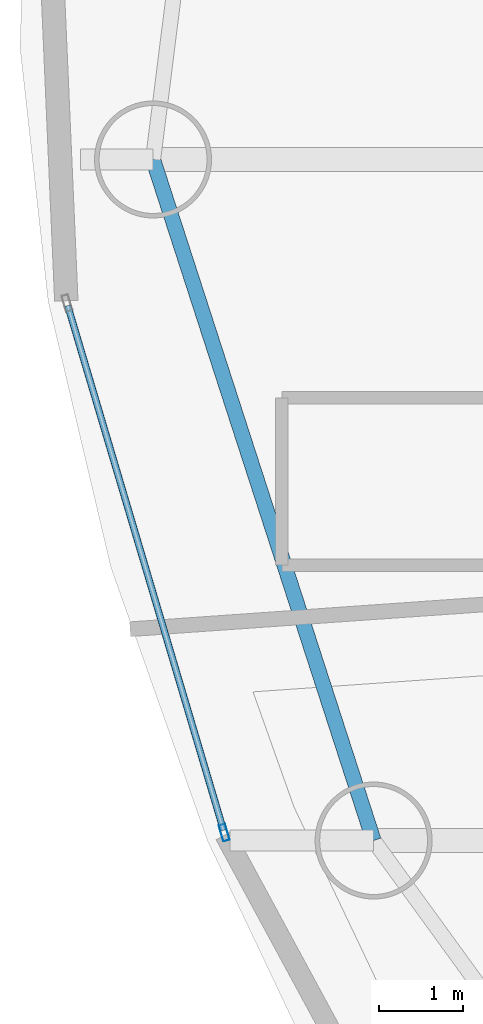
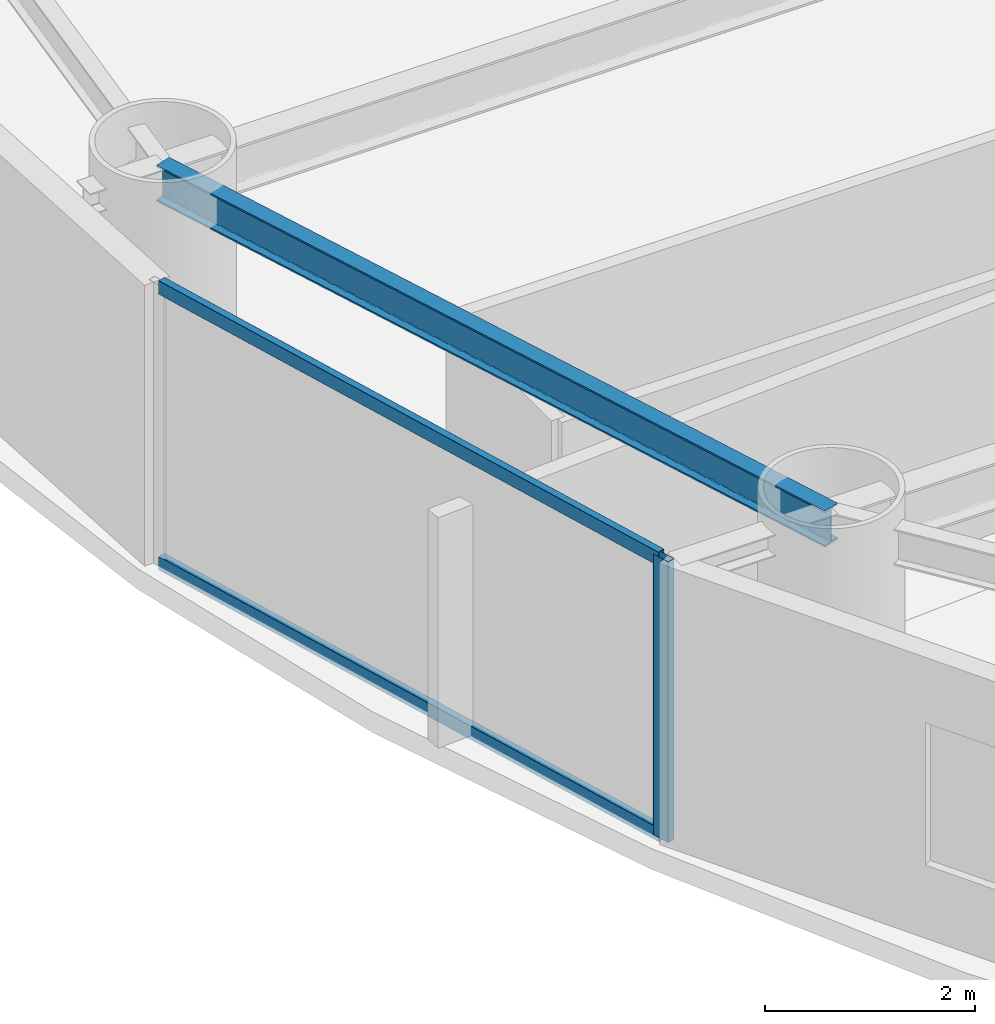
# One storey, part 4 of 22: 3 members, 1 beam, 1 element without a shape of its own.
"""IFC4 building model written with IfcOpenShell, lengths in metres."""

import ifcopenshell
import ifcopenshell.guid

model = None  # the IFC model being written
_history = None  # IfcOwnerHistory: only IFC2X3 demands one
_inside = {}  # id of a spatial element -> (the spatial element, [elements in it])
_under = {}  # id of a project, library or spatial element -> (it, [spatial elements below it])
_declared = {}  # id of a project -> (the project, [libraries it declares])
_typed = {}  # id of a type object -> (the type object, [elements of that type])
_made_of = {}  # id of a material, layer set ... -> (it, [elements and type objects made of it])


def new_model(schema):
    """Start an empty IFC model of exactly this schema.

    Asked for "IFC4X3", IfcOpenShell would pick the latest addendum, in which some entities
    have other attributes; the version numbers below select the first issue.
    IFC2X3 requires an IfcOwnerHistory on every rooted entity: one is made here for all.
    """
    global model, _history
    if schema == "IFC4X3":
        model = ifcopenshell.file(schema_version=(4, 3, 0, 0))
    else:
        model = ifcopenshell.file(schema=schema)
    _inside.clear()
    _under.clear()
    _declared.clear()
    _typed.clear()
    _made_of.clear()
    _history = None
    if model.schema == "IFC2X3":
        org = make("IfcOrganization", Name="unknown")
        user = make(
            "IfcPersonAndOrganization",
            ThePerson=make("IfcPerson", FamilyName="unknown"),
            TheOrganization=org,
        )
        app = make(
            "IfcApplication",
            ApplicationDeveloper=org,
            Version="unknown",
            ApplicationFullName="unknown",
            ApplicationIdentifier="unknown",
        )
        _history = make(
            "IfcOwnerHistory",
            OwningUser=user,
            OwningApplication=app,
            ChangeAction="ADDED",
            CreationDate=0,
        )
    return model


def make(cls, **values):
    """One entity of the class cls with the attributes given. An attribute that is None is left unset."""
    return model.create_entity(
        cls, **{name: value for name, value in values.items() if value is not None}
    )


def rooted(cls, **values):
    """An entity with a GlobalId (a new one), such as an element, a storey or a relation."""
    return make(cls, GlobalId=ifcopenshell.guid.new(), OwnerHistory=_history, **values)


def si_unit(unit_type, name, prefix=None):
    """IfcSIUnit, for example si_unit("LENGTHUNIT", "METRE", prefix="MILLI")."""
    return make("IfcSIUnit", UnitType=unit_type, Prefix=prefix, Name=name)


def assignment(units):
    """IfcUnitAssignment: the units of a project."""
    return None if units is None else make("IfcUnitAssignment", Units=units)


def point(xyz):
    """IfcCartesianPoint."""
    return None if xyz is None else make("IfcCartesianPoint", Coordinates=xyz)


def direction(xyz):
    """IfcDirection."""
    return None if xyz is None else make("IfcDirection", DirectionRatios=xyz)


def frame(location, z_axis=None, x_axis=None):
    """IfcAxis2Placement3D, a coordinate frame: its origin and axes. An axis left out is left unset."""
    return make(
        "IfcAxis2Placement3D",
        Location=point(location),
        Axis=direction(z_axis),
        RefDirection=direction(x_axis),
    )


def frame_2d(location, x_axis=None):
    """IfcAxis2Placement2D, a coordinate frame in the plane: its origin and x axis."""
    return make(
        "IfcAxis2Placement2D", Location=point(location), RefDirection=direction(x_axis)
    )


def origin():
    """The frame at (0, 0, 0) with its axes left unset."""
    return frame((0.0, 0.0, 0.0))


def origin_2d():
    """The frame at (0, 0) in the plane with its x axis left unset."""
    return frame_2d((0.0, 0.0))


def place(relative_to, where):
    """IfcLocalPlacement: puts the frame where relative to a parent placement (None: the world)."""
    return make(
        "IfcLocalPlacement", PlacementRelTo=relative_to, RelativePlacement=where
    )


def context(
    kind, dimensions, precision=None, world=None, true_north=None, identifier=None
):
    """IfcGeometricRepresentationContext, for example the 3D "Model" context."""
    return make(
        "IfcGeometricRepresentationContext",
        ContextIdentifier=identifier,
        ContextType=kind,
        CoordinateSpaceDimension=dimensions,
        Precision=precision,
        WorldCoordinateSystem=world,
        TrueNorth=true_north,
    )


def subcontext(parent, identifier, kind, view, scale=None):
    """IfcGeometricRepresentationSubContext, for example "Body" below "Model"."""
    return make(
        "IfcGeometricRepresentationSubContext",
        ContextIdentifier=identifier,
        ContextType=kind,
        ParentContext=parent,
        TargetScale=scale,
        TargetView=view,
    )


def project(units=None, contexts=None):
    """IfcProject with its units and contexts."""
    return rooted(
        "IfcProject",
        Name="project",
        RepresentationContexts=contexts,
        UnitsInContext=assignment(units),
    )


def spatial(cls, under=None, at=None, **own):
    """A site, building, storey or space (cls), placed at a placement, below another one or the project."""
    s = rooted(cls, ObjectPlacement=at, **own)
    if under is not None:
        _under.setdefault(under.id(), (under, []))[1].append(s)
    return s


def profile(cls, at=None, kind="AREA", **sizes):
    """A parametric profile (cls). Its sizes go by their IFC names, for example OverallWidth=200.0."""
    return make(cls, ProfileType=kind, Position=at, **sizes)


def hollow_rectangle(**sizes):
    """IfcRectangleHollowProfileDef."""
    return profile("IfcRectangleHollowProfileDef", **sizes)


def i_section(**sizes):
    """IfcIShapeProfileDef."""
    return profile("IfcIShapeProfileDef", **sizes)


def extrude(swept, where, along, depth):
    """IfcExtrudedAreaSolid: the profile swept, set in the frame where, extruded along a direction by depth."""
    return make(
        "IfcExtrudedAreaSolid",
        SweptArea=swept,
        Position=where,
        ExtrudedDirection=direction(along),
        Depth=depth,
    )


def shape(context_of_items, identifier, shape_type, items):
    """IfcShapeRepresentation: the items that make up one representation, for example the "Body"."""
    return make(
        "IfcShapeRepresentation",
        ContextOfItems=context_of_items,
        RepresentationIdentifier=identifier,
        RepresentationType=shape_type,
        Items=items,
    )


def material(Name=None, Category=None):
    """IfcMaterial."""
    return make("IfcMaterial", Name=Name, Category=Category)


def layer(
    of_material, thickness, ventilated=None, Name=None, Category=None, Priority=None
):
    """IfcMaterialLayer: one layer of a wall or slab, of a material (None: an air gap)."""
    return make(
        "IfcMaterialLayer",
        Material=of_material,
        LayerThickness=thickness,
        IsVentilated=ventilated,
        Name=Name,
        Category=Category,
        Priority=Priority,
    )


def layer_set(layers, Name=None):
    """IfcMaterialLayerSet."""
    return make("IfcMaterialLayerSet", MaterialLayers=layers, LayerSetName=Name)


def material_profile(
    of_material, cross_section, Name=None, Category=None, Priority=None
):
    """IfcMaterialProfile: a cross section and its material."""
    return make(
        "IfcMaterialProfile",
        Name=Name,
        Material=of_material,
        Profile=cross_section,
        Priority=Priority,
        Category=Category,
    )


def profile_set(profiles, Name=None, composite=None):
    """IfcMaterialProfileSet."""
    return make(
        "IfcMaterialProfileSet",
        Name=Name,
        MaterialProfiles=profiles,
        CompositeProfile=composite,
    )


def made_of(thing, what):
    """Note that an element or type object is made of a material, layer set ...; save() writes the relation."""
    if what is not None:
        _made_of.setdefault(what.id(), (what, []))[1].append(thing)
    return thing


def type_object(cls, material=None, **own):
    """A type object (cls), such as IfcWallType, which elements share."""
    return made_of(rooted(cls, **own), material)


def element(
    cls,
    number,
    at=None,
    inside=None,
    cuts=None,
    type_object=None,
    material=None,
    context=None,
    identifier="Body",
    shape_type=None,
    held_by="IfcProductDefinitionShape",
    body=None,
    shapes=None,
    **own,
):
    """One element of the class cls, such as IfcWall. Its Tag is "e" and its number.

    at: its placement. inside: the storey or other place that contains it. cuts: it is an
    opening in that element (IfcRelVoidsElement). A single representation is given by context,
    identifier, shape_type and body (its items); several are given by shapes. held_by: the class
    of the entity that holds the representations. save() writes the other relations.
    """
    e = rooted(cls, Tag="e%d" % number, ObjectPlacement=at, **own)
    if body is not None:
        shapes = [shape(context, identifier, shape_type, body)]
    if shapes is not None:
        e.Representation = make(held_by, Representations=shapes)
    if inside is not None:
        _inside.setdefault(inside.id(), (inside, []))[1].append(e)
    if cuts is not None:
        rooted(
            "IfcRelVoidsElement", RelatingBuildingElement=cuts, RelatedOpeningElement=e
        )
    if type_object is not None:
        _typed.setdefault(type_object.id(), (type_object, []))[1].append(e)
    return made_of(e, material)


def aggregate(whole, parts):
    """IfcRelAggregates: a whole, such as a stair, and the parts it consists of."""
    return rooted("IfcRelAggregates", RelatingObject=whole, RelatedObjects=parts)


def save(model, path):
    """Write the relations noted so far, then the file.

    IfcRelAggregates (storeys below a building ...), IfcRelContainedInSpatialStructure (elements
    in a storey), IfcRelDefinesByType, IfcRelAssociatesMaterial and IfcRelDeclares: one each for
    every whole, place, type object, material and project.
    """
    for whole, parts in _under.values():
        aggregate(whole, parts)
    for where, things in _inside.values():
        rooted(
            "IfcRelContainedInSpatialStructure",
            RelatedElements=things,
            RelatingStructure=where,
        )
    for kind, things in _typed.values():
        rooted("IfcRelDefinesByType", RelatedObjects=things, RelatingType=kind)
    for what, things in _made_of.values():
        rooted("IfcRelAssociatesMaterial", RelatedObjects=things, RelatingMaterial=what)
    for by, libraries in _declared.values():
        rooted("IfcRelDeclares", RelatingContext=by, RelatedDefinitions=libraries)
    model.write(path)


model = new_model("IFC4")

# Units and contexts
model_context = context("Model", 3, precision=1e-05, world=origin(), true_north=direction((0.0, 1.0)))
body_context = subcontext(model_context, "Body", "Model", "MODEL_VIEW")
ifc_project = project(units=[si_unit("LENGTHUNIT", "METRE"), si_unit("AREAUNIT", "SQUARE_METRE"), si_unit("VOLUMEUNIT", "CUBIC_METRE"), si_unit("PLANEANGLEUNIT", "RADIAN"), si_unit("MASSUNIT", "GRAM", prefix="KILO")], contexts=[model_context])

# Site, building, storey
site_placement = place(None, origin())
site = spatial("IfcSite", under=ifc_project, at=site_placement, CompositionType="ELEMENT")
building_placement = place(site_placement, origin())
building = spatial("IfcBuilding", under=site, at=building_placement, Name="Bramvorn Convention Spire", CompositionType="ELEMENT")
storey_placement = place(building_placement, frame((0.0, 0.0, 141.300048828125)))
storey = spatial("IfcBuildingStorey", under=building, at=storey_placement, Name="L35", CompositionType="ELEMENT", Elevation=141.300048828125)

# Beam
ifc_material_1 = material(Name="Steel CSA G40.21 Grade 350 (350W)", Category="steel")
ifc_material_profile_1 = material_profile(ifc_material_1, i_section(OverallWidth=0.180908203125, OverallDepth=0.4169921875, WebThickness=0.010986328125, FlangeThickness=0.018310546875, FilletRadius=0.01611328125, at=origin_2d()))
ifc_profile_set_1 = profile_set([ifc_material_profile_1], Name="Steel CSA G40.21 Grade 350 (350W) - W410X85")
beam_type = type_object("IfcBeamType", Name="BM-W410X85", PredefinedType="JOIST", material=ifc_profile_set_1)
beam_placement = place(storey_placement, frame((13.016357421875, 29.851806640625, 3.051513671875), z_axis=(0.308114853612, -0.951349166701, 0.0), x_axis=(0.951349166701, 0.308114853612, 0.0)))
element("IfcBeam", 1, at=beam_placement, inside=storey, type_object=beam_type, Name="L35 mega-column ring beam 10", PredefinedType="JOIST", context=body_context, shape_type="SweptSolid", body=[
    extrude(i_section(OverallWidth=0.180908203125, OverallDepth=0.4169921875, WebThickness=0.010986328125, FlangeThickness=0.018310546875, FilletRadius=0.01611328125, at=origin_2d()), origin(), (0.0, 0.0, 1.0), 8.5615234375),
])

# Curtain wall, members
ifc_material_2 = material(Name="Anodised Bronze Unitised Curtain Wall", Category="aluminium")
ifc_layer = layer(ifc_material_2, 0.179931640625)
ifc_layer_set = layer_set([ifc_layer], Name="Anodised Bronze Unitised Curtain Wall - CW-HTL-FRIT")
curtain_wall_type = type_object("IfcCurtainWallType", Name="CW-HTL-FRIT", PredefinedType="USERDEFINED", material=ifc_layer_set)
curtain_wall_placement = place(storey_placement, origin())
curtain_wall = element("IfcCurtainWall", 2, at=curtain_wall_placement, inside=storey, type_object=curtain_wall_type, Name="L35 fritted glass curtain wall 15", ObjectType="UNITISED CURTAIN WALL", PredefinedType="USERDEFINED")
ifc_material_3 = material(Name="Anodised Bronze Aluminium 6063-T6", Category="aluminium")
ifc_material_profile_2 = material_profile(ifc_material_3, hollow_rectangle(XDim=0.080078125, YDim=0.199951171875, WallThickness=0.00390625, InnerFilletRadius=0.0009765625, OuterFilletRadius=0.00390625, at=origin_2d()))
ifc_profile_set_2 = profile_set([ifc_material_profile_2], Name="Anodised Bronze Aluminium 6063-T6 - CWM80X200")
member_type_1 = type_object("IfcMemberType", Name="CW-MUL-180", PredefinedType="MULLION", material=ifc_profile_set_2)
member_1_placement = place(storey_placement, frame((13.867431640625, 21.801513671875, 0.0), z_axis=(0.0, 0.0, 1.0), x_axis=(-0.958636760073, -0.284632328166, 0.0)))
member_1 = element("IfcMember", 3, at=member_1_placement, type_object=member_type_1, Name="CW2 mullion 1", PredefinedType="MULLION", context=body_context, shape_type="SweptSolid", body=[
    extrude(hollow_rectangle(XDim=0.080078125, YDim=0.199951171875, WallThickness=0.00390625, InnerFilletRadius=0.0009765625, OuterFilletRadius=0.00390625, at=origin_2d()), origin(), (0.0, 0.0, 1.0), 3.260009765625),
])
ifc_material_profile_3 = material_profile(ifc_material_3, hollow_rectangle(XDim=0.080078125, YDim=0.159912109375, WallThickness=0.00390625, InnerFilletRadius=0.0009765625, OuterFilletRadius=0.00390625, at=origin_2d()))
ifc_profile_set_3 = profile_set([ifc_material_profile_3], Name="Anodised Bronze Aluminium 6063-T6 - CWT80X160")
member_type_2 = type_object("IfcMemberType", Name="CW-TRN-150", PredefinedType="USERDEFINED", material=ifc_profile_set_3)
member_2_placement = place(storey_placement, frame((13.85888671875, 21.830322265625, 0.030029296875), z_axis=(-0.284643280197, 0.958633508197, 0.0), x_axis=(-0.958633508197, -0.284643280197, 0.0)))
member_2 = element("IfcMember", 4, at=member_2_placement, type_object=member_type_2, Name="CW2 transom 1.1", ObjectType="TRANSOM", PredefinedType="USERDEFINED", context=body_context, shape_type="SweptSolid", body=[
    extrude(hollow_rectangle(XDim=0.080078125, YDim=0.159912109375, WallThickness=0.00390625, InnerFilletRadius=0.0009765625, OuterFilletRadius=0.00390625, at=origin_2d()), origin(), (0.0, 0.0, 1.0), 6.545166015625),
])
member_3_placement = place(storey_placement, frame((13.85888671875, 21.830322265625, 3.22998046875), z_axis=(-0.284643280197, 0.958633508197, 0.0), x_axis=(-0.958633508197, -0.284643280197, 0.0)))
member_3 = element("IfcMember", 5, at=member_3_placement, type_object=member_type_2, Name="CW2 transom 1.2", ObjectType="TRANSOM", PredefinedType="USERDEFINED", context=body_context, shape_type="SweptSolid", body=[
    extrude(hollow_rectangle(XDim=0.080078125, YDim=0.159912109375, WallThickness=0.00390625, InnerFilletRadius=0.0009765625, OuterFilletRadius=0.00390625, at=origin_2d()), origin(), (0.0, 0.0, 1.0), 6.545166015625),
])
aggregate(curtain_wall, [member_1, member_2, member_3])

save(model, "model.ifc")
